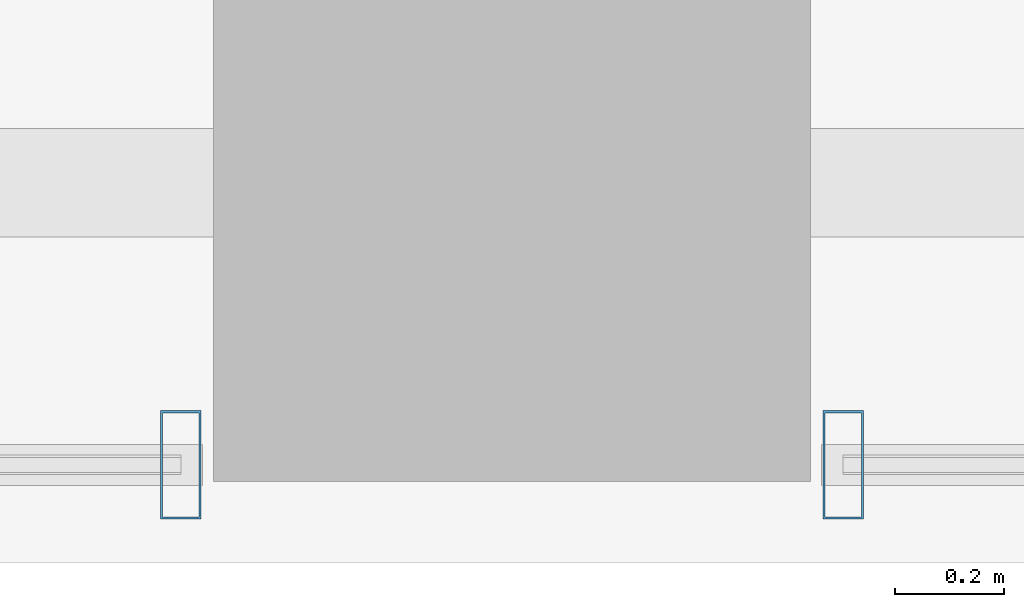
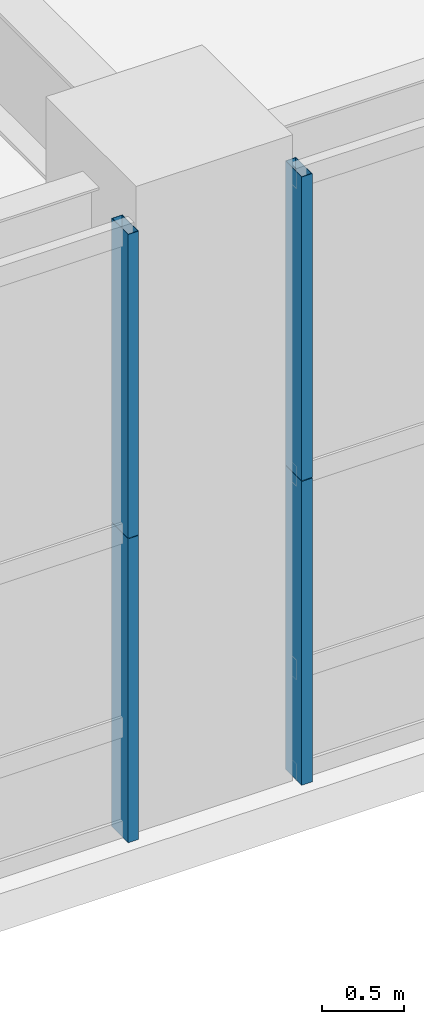
# One storey, part 11 of 38: 4 members, 2 elements without a shape of their own.
"""IFC4 building model written with IfcOpenShell, lengths in metres."""

from ifc_helpers import new_model, si_unit, direction, frame, origin, origin_2d, place, context, subcontext, project, spatial, hollow_rectangle, extrude, source, transform, mapped, material, layer, layer_set, material_profile, profile_set, type_object, element, aggregate, save


model = new_model("IFC4")

# Units and contexts
model_context = context("Model", 3, precision=1e-05, world=origin(), true_north=direction((0.0, 1.0)))
body_context = subcontext(model_context, "Body", "Model", "MODEL_VIEW")
ifc_project = project(units=[si_unit("LENGTHUNIT", "METRE"), si_unit("AREAUNIT", "SQUARE_METRE"), si_unit("VOLUMEUNIT", "CUBIC_METRE"), si_unit("PLANEANGLEUNIT", "RADIAN"), si_unit("MASSUNIT", "GRAM", prefix="KILO"), si_unit("THERMODYNAMICTEMPERATUREUNIT", "KELVIN"), si_unit("POWERUNIT", "WATT")], contexts=[model_context])

# Site, building, storey
site_placement = place(None, origin())
site = spatial("IfcSite", under=ifc_project, at=site_placement, CompositionType="ELEMENT")
building_placement = place(site_placement, origin())
building = spatial("IfcBuilding", under=site, at=building_placement, Name="Yuzanri Waterfront Tower", CompositionType="ELEMENT")
storey_placement = place(building_placement, frame((0.0, 0.0, 10.199951171875)))
storey = spatial("IfcBuildingStorey", under=building, at=storey_placement, Name="L03", CompositionType="ELEMENT", Elevation=10.199951171875)

# Curtain wall, members
ifc_material_1 = material(Name="Anodized Architectural Bronze", Category="metal")
ifc_layer = layer(ifc_material_1, 0.159912109375)
ifc_layer_set = layer_set([ifc_layer], Name="Anodized Architectural Bronze")
curtain_wall_type = type_object("IfcCurtainWallType", Name="Anodized Bronze Podium Waterfront Double-Height Unitized Curtain Wall 8400", PredefinedType="NOTDEFINED", material=ifc_layer_set)
curtain_wall_1_placement = place(storey_placement, origin())
curtain_wall_1 = element("IfcCurtainWall", 1, at=curtain_wall_1_placement, inside=storey, type_object=curtain_wall_type, Name="L03 Curtain Wall CW-L03-S1", PredefinedType="NOTDEFINED")
ifc_material_2 = material(Name="Anodized Architectural Bronze", Category="metal")
ifc_material_profile = material_profile(ifc_material_2, hollow_rectangle(XDim=0.074951171875, YDim=0.199951171875, WallThickness=0.00390625, at=origin_2d()), Name="CWM 75x200")
ifc_profile_set = profile_set([ifc_material_profile], Name="Anodized Architectural Bronze")
member_type = type_object("IfcMemberType", Name="Anodized Bronze Primary Curtain-Wall Mullion 75x200", PredefinedType="MULLION", material=ifc_profile_set)
shared_shape = source(origin(), body_context, "Body", "SweptSolid", [
    extrude(hollow_rectangle(XDim=0.074951171875, YDim=0.199951171875, WallThickness=0.00390625, at=origin_2d()), origin(), (0.0, 0.0, 1.0), 2.258056640625),
])
member_1_placement = place(storey_placement, frame((36.389892578125, 1.97998046875, 0.0), z_axis=(0.0, 0.0, 1.0), x_axis=(1.0, 0.0, 0.0)))
member_1 = element("IfcMember", 2, at=member_1_placement, type_object=member_type, Name="CW-L03-S1 Lower Mullion 02", PredefinedType="MULLION", context=body_context, shape_type="MappedRepresentation", body=[
    mapped(shared_shape, transform((0.0, 0.0, 0.0), scale=1.0)),
])
member_2_placement = place(storey_placement, frame((36.389892578125, 1.97998046875, 2.261962890625), z_axis=(0.0, 0.0, 1.0), x_axis=(1.0, 0.0, 0.0)))
member_2 = element("IfcMember", 3, at=member_2_placement, type_object=member_type, Name="CW-L03-S1 Upper Mullion 02", PredefinedType="MULLION", context=body_context, shape_type="MappedRepresentation", body=[
    mapped(shared_shape, transform((0.0, 0.0, 0.0), scale=1.0)),
])
aggregate(curtain_wall_1, [member_1, member_2])

curtain_wall_2_placement = place(storey_placement, origin())
curtain_wall_2 = element("IfcCurtainWall", 4, at=curtain_wall_2_placement, inside=storey, type_object=curtain_wall_type, Name="L03 Curtain Wall CW-L03-S2", PredefinedType="NOTDEFINED")
member_3_placement = place(storey_placement, frame((37.610107421875, 1.97998046875, 0.0), z_axis=(0.0, 0.0, 1.0), x_axis=(1.0, 0.0, 0.0)))
member_3 = element("IfcMember", 5, at=member_3_placement, type_object=member_type, Name="CW-L03-S2 Lower Mullion 00", PredefinedType="MULLION", context=body_context, shape_type="MappedRepresentation", body=[
    mapped(shared_shape, transform((0.0, 0.0, 0.0), scale=1.0)),
])
member_4_placement = place(storey_placement, frame((37.610107421875, 1.97998046875, 2.261962890625), z_axis=(0.0, 0.0, 1.0), x_axis=(1.0, 0.0, 0.0)))
member_4 = element("IfcMember", 6, at=member_4_placement, type_object=member_type, Name="CW-L03-S2 Upper Mullion 00", PredefinedType="MULLION", context=body_context, shape_type="MappedRepresentation", body=[
    mapped(shared_shape, transform((0.0, 0.0, 0.0), scale=1.0)),
])
aggregate(curtain_wall_2, [member_3, member_4])

save(model, "model.ifc")
